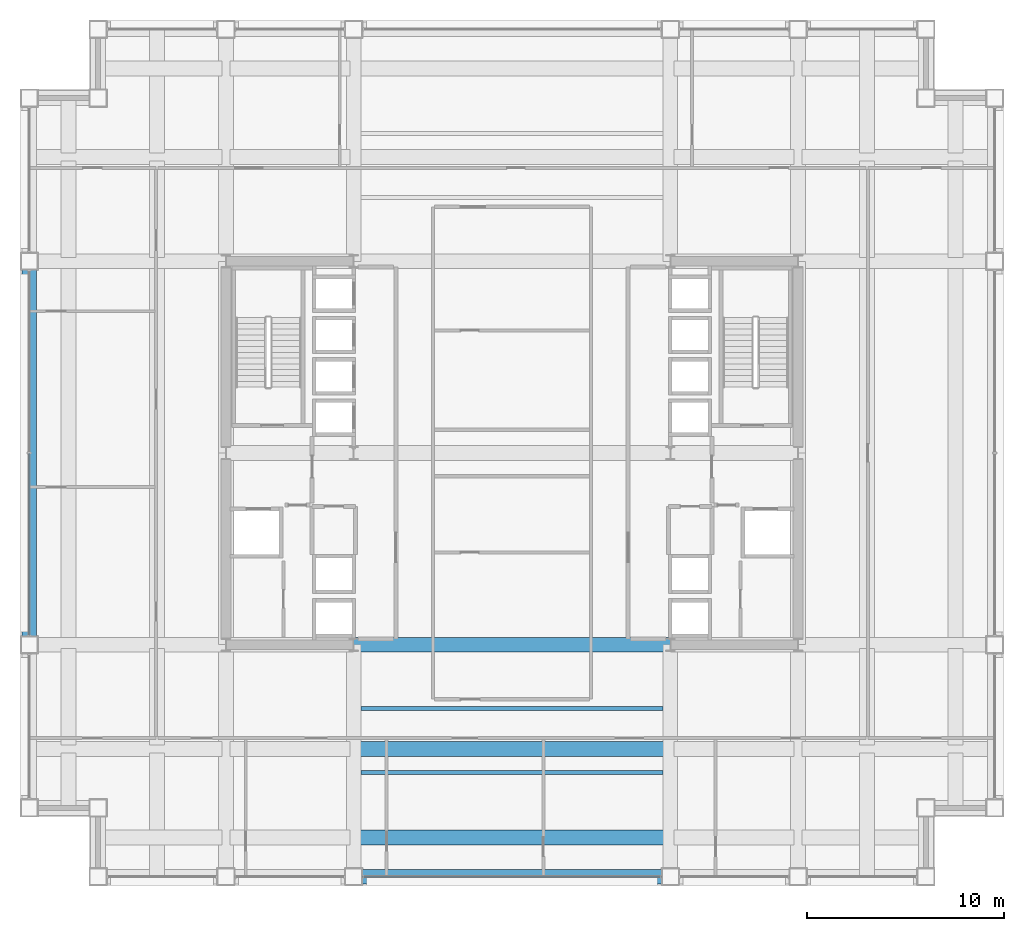
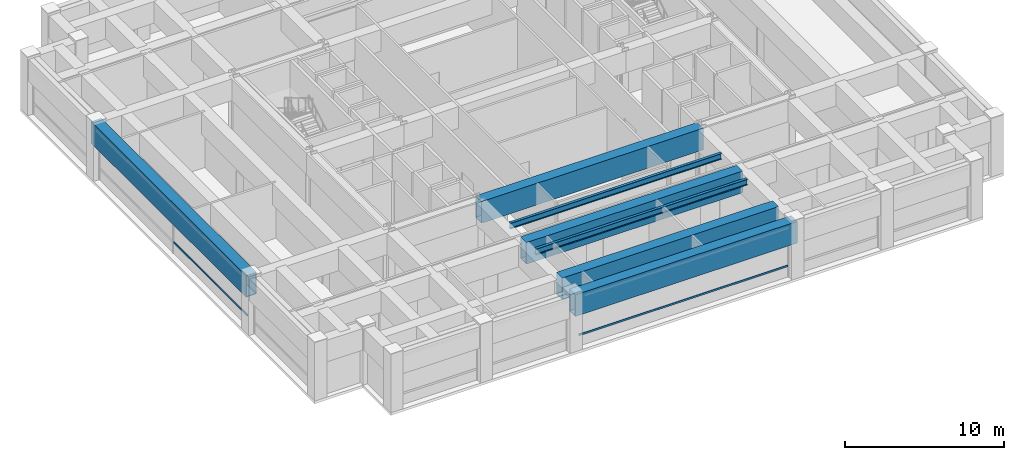
# One storey, part 6 of 29: 7 beams, 2 members, 2 elements without a shape of their own.
"""IFC4 building model written with IfcOpenShell, lengths in metres."""

from ifc_helpers import new_model, si_unit, direction, frame, origin, origin_2d, place, context, subcontext, project, spatial, hollow_rectangle, i_section, extrude, material, layer, layer_set, material_profile, profile_set, type_object, element, aggregate, save


model = new_model("IFC4")

# Units and contexts
model_context = context("Model", 3, precision=1e-05, world=origin(), true_north=direction((0.0, 1.0)))
body_context = subcontext(model_context, "Body", "Model", "MODEL_VIEW")
ifc_project = project(units=[si_unit("LENGTHUNIT", "METRE"), si_unit("AREAUNIT", "SQUARE_METRE"), si_unit("VOLUMEUNIT", "CUBIC_METRE"), si_unit("PLANEANGLEUNIT", "RADIAN"), si_unit("MASSUNIT", "GRAM", prefix="KILO")], contexts=[model_context])

# Site, building, storey
site_placement = place(None, origin())
site = spatial("IfcSite", under=ifc_project, at=site_placement, CompositionType="ELEMENT")
building_placement = place(site_placement, origin())
building = spatial("IfcBuilding", under=site, at=building_placement, Name="Brelmoor Portico Tower", CompositionType="ELEMENT")
storey_placement = place(building_placement, frame((0.0, 0.0, 82.800048828125)))
storey = spatial("IfcBuildingStorey", under=building, at=storey_placement, Name="L21", CompositionType="ELEMENT", Elevation=82.800048828125)

# Beams
ifc_material_1 = material(Name="Steel Q355B", Category="steel")
ifc_material_profile_1 = material_profile(ifc_material_1, i_section(OverallWidth=0.199951171875, OverallDepth=0.449951171875, WebThickness=0.009033203125, FlangeThickness=0.013916015625, at=origin_2d()), Name="HN 450x200x9x14")
ifc_profile_set_1 = profile_set([ifc_material_profile_1], Name="Steel Q355B")
beam_type_1 = type_object("IfcBeamType", Name="BM-JS-450", PredefinedType="JOIST", material=ifc_profile_set_1)
for number, where, z_axis, x_axis, name in (
    (1, (-7.675048828125, -16.25, 4.074951171875), (1.0, 0.0, 0.0), (0.0, 1.0, 0.0), "L21 Secondary Composite Joist JS-C01"),
    (2, (-7.675048828125, -13.0, 4.074951171875), (1.0, 0.0, 0.0), (0.0, 1.0, 0.0), "L21 Secondary Composite Joist JS-C02"),
):
    element("IfcBeam", number, at=place(storey_placement, frame(where, z_axis=z_axis, x_axis=x_axis)), inside=storey, type_object=beam_type_1, Name=name, PredefinedType="JOIST", context=body_context, shape_type="SweptSolid", body=[
        extrude(i_section(OverallWidth=0.199951171875, OverallDepth=0.449951171875, WebThickness=0.009033203125, FlangeThickness=0.013916015625, at=origin_2d()), origin(), (0.0, 0.0, 1.0), 15.35009765625),
    ])
ifc_material_profile_2 = material_profile(ifc_material_1, hollow_rectangle(XDim=0.75, YDim=1.659912109375, WallThickness=0.0419921875, at=origin_2d()), Name="BOX 750x1660x42")
ifc_profile_set_2 = profile_set([ifc_material_profile_2], Name="Steel Q355B")
beam_type_2 = type_object("IfcBeamType", Name="BM-TG-Z2", PredefinedType="BEAM", material=ifc_profile_set_2)
beam_1_placement = place(storey_placement, frame((-8.050048828125, -21.550048828125, 3.469970703125), z_axis=(1.0, 0.0, 0.0), x_axis=(0.0, 1.0, 0.0)))
element("IfcBeam", 3, at=beam_1_placement, inside=storey, type_object=beam_type_2, Name="L21 Perimeter Transfer Beam SP-03", PredefinedType="BEAM", context=body_context, shape_type="SweptSolid", body=[
    extrude(hollow_rectangle(XDim=0.75, YDim=1.659912109375, WallThickness=0.0419921875, at=origin_2d()), origin(), (0.0, 0.0, 1.0), 16.10009765625),
])
beam_2_placement = place(storey_placement, frame((-24.550048828125, -9.75, 3.469970703125), z_axis=(0.0, 1.0, 0.0), x_axis=(-1.0, 0.0, 0.0)))
element("IfcBeam", 4, at=beam_2_placement, inside=storey, type_object=beam_type_2, Name="L21 Perimeter Transfer Beam SP-16", PredefinedType="BEAM", context=body_context, shape_type="SweptSolid", body=[
    extrude(hollow_rectangle(XDim=0.75, YDim=1.659912109375, WallThickness=0.0419921875, at=origin_2d()), origin(), (0.0, 0.0, 1.0), 19.5),
])
beam_3_placement = place(storey_placement, frame((-8.050048828125, -9.75, 3.469970703125), z_axis=(1.0, 0.0, 0.0), x_axis=(0.0, 1.0, 0.0)))
element("IfcBeam", 5, at=beam_3_placement, inside=storey, type_object=beam_type_2, Name="L21 Setback Transfer Girder PG-21", PredefinedType="BEAM", context=body_context, shape_type="SweptSolid", body=[
    extrude(hollow_rectangle(XDim=0.75, YDim=1.659912109375, WallThickness=0.0419921875, at=origin_2d()), origin(), (0.0, 0.0, 1.0), 16.10009765625),
])
for number, where, z_axis, x_axis, name in (
    (6, (-7.85009765625, -19.550048828125, 3.469970703125), (1.0, 0.0, 0.0), (0.0, 1.0, 0.0), "L21 Setback Transfer Girder TGN-03"),
    (7, (-7.85009765625, -15.050048828125, 3.469970703125), (1.0, 0.0, 0.0), (0.0, 1.0, 0.0), "L21 Setback Transfer Girder TGN-13"),
):
    element("IfcBeam", number, at=place(storey_placement, frame(where, z_axis=z_axis, x_axis=x_axis)), inside=storey, type_object=beam_type_2, Name=name, PredefinedType="BEAM", context=body_context, shape_type="SweptSolid", body=[
        extrude(hollow_rectangle(XDim=0.75, YDim=1.659912109375, WallThickness=0.0419921875, at=origin_2d()), origin(), (0.0, 0.0, 1.0), 15.7001953125),
    ])

# Curtain wall, member
ifc_material_2 = material(Name="Anodised Aluminium Alloy 6063-T6", Category="aluminium")
ifc_layer = layer(ifc_material_2, 0.179931640625)
ifc_layer_set = layer_set([ifc_layer], Name="Anodised Aluminium Alloy 6063-T6")
curtain_wall_type = type_object("IfcCurtainWallType", Name="CW-TOWER-Z1", PredefinedType="NOTDEFINED", material=ifc_layer_set)
curtain_wall_1_placement = place(storey_placement, origin())
curtain_wall_1 = element("IfcCurtainWall", 8, at=curtain_wall_1_placement, inside=storey, type_object=curtain_wall_type, Name="L21 Curtain Wall CW-L21-01-3", PredefinedType="NOTDEFINED")
ifc_material_profile_3 = material_profile(ifc_material_2, hollow_rectangle(XDim=0.06494140625, YDim=0.139892578125, WallThickness=0.00390625, at=origin_2d()), Name="ALU TRANSOM 65x140")
ifc_profile_set_3 = profile_set([ifc_material_profile_3], Name="Anodised Aluminium Alloy 6063-T6")
member_type = type_object("IfcMemberType", Name="MB-CW-TRAN-140", PredefinedType="USERDEFINED", material=ifc_profile_set_3)
member_1_placement = place(storey_placement, frame((-7.590087890625, -21.550048828125, 0.849853515625), z_axis=(1.0, 0.0, 0.0), x_axis=(0.0, 1.0, 0.0)))
member_1 = element("IfcMember", 9, at=member_1_placement, type_object=member_type, Name="CW-L21-01-3 Transom 1-00", ObjectType="TRANSOM", PredefinedType="USERDEFINED", context=body_context, shape_type="SweptSolid", body=[
    extrude(hollow_rectangle(XDim=0.06494140625, YDim=0.139892578125, WallThickness=0.00390625, at=origin_2d()), origin(), (0.0, 0.0, 1.0), 15.18017578125),
])
aggregate(curtain_wall_1, [member_1])

curtain_wall_2_placement = place(storey_placement, origin())
curtain_wall_2 = element("IfcCurtainWall", 10, at=curtain_wall_2_placement, inside=storey, type_object=curtain_wall_type, Name="L21 Curtain Wall CW-L21-03-2", PredefinedType="NOTDEFINED")
member_2_placement = place(storey_placement, frame((-24.550048828125, -9.2900390625, 0.849853515625), z_axis=(0.0, 1.0, 0.0), x_axis=(-1.0, 0.0, 0.0)))
member_2 = element("IfcMember", 11, at=member_2_placement, type_object=member_type, Name="CW-L21-03-2 Transom 1-00", ObjectType="TRANSOM", PredefinedType="USERDEFINED", context=body_context, shape_type="SweptSolid", body=[
    extrude(hollow_rectangle(XDim=0.06494140625, YDim=0.139892578125, WallThickness=0.00390625, at=origin_2d()), origin(), (0.0, 0.0, 1.0), 9.2900390625),
])
aggregate(curtain_wall_2, [member_2])

save(model, "model.ifc")
